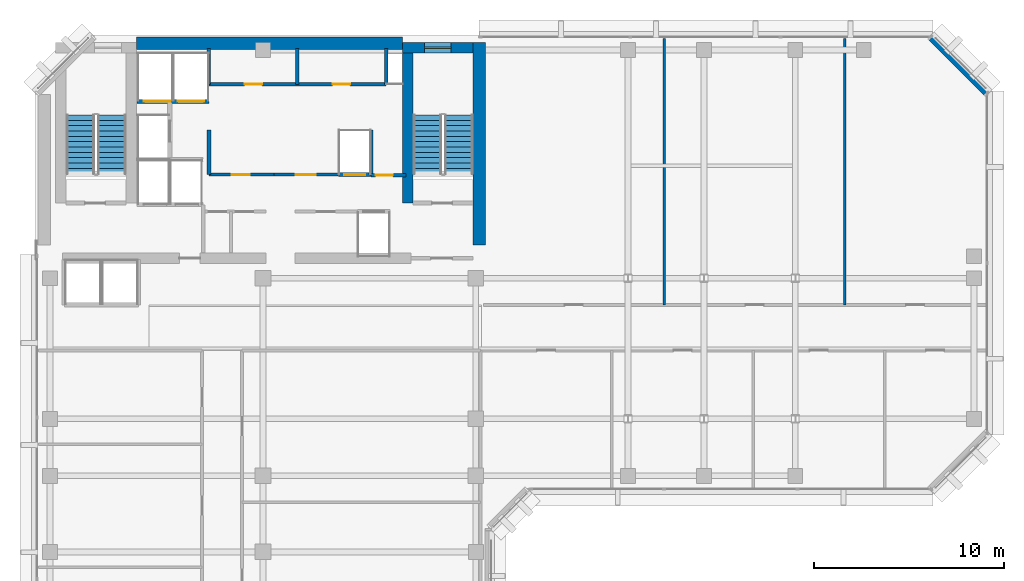
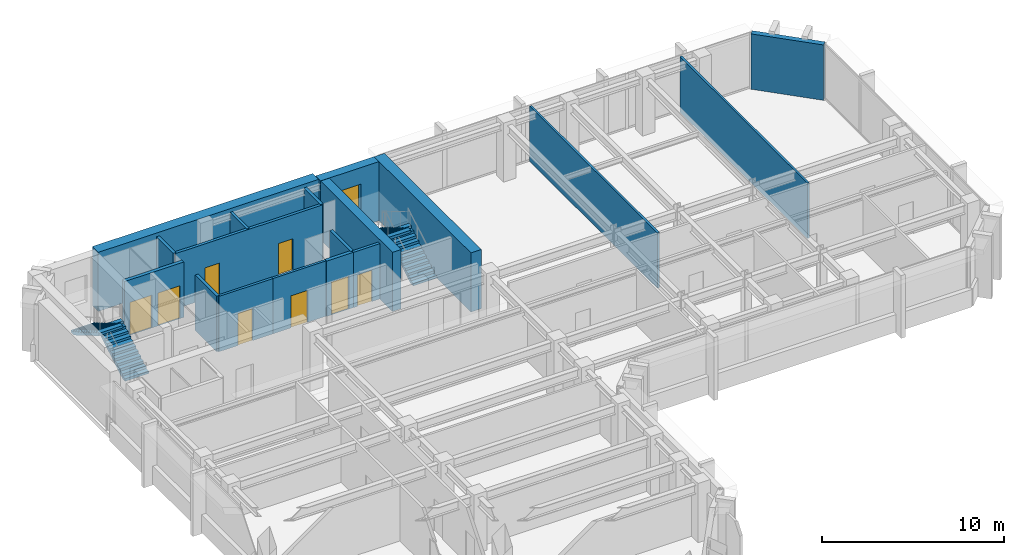
# One storey, part 8 of 12: 18 walls, 8 doors, 4 stair flights, 1 window, 9 openings, 2 elements without a shape of their own.
"""IFC4 building model written with IfcOpenShell, lengths in metres."""

from ifc_helpers import new_model, si_unit, direction, frame, frame_2d, origin, place, context, subcontext, project, spatial, polyline, rectangle, outline, extrude, material, layer, layer_set, type_object, element, fill, aggregate, save


model = new_model("IFC4")

# Units and contexts
model_context = context("Model", 3, precision=1e-05, world=origin(), true_north=direction((0.0, 1.0)))
body_context = subcontext(model_context, "Body", "Model", "MODEL_VIEW")
ifc_project = project(units=[si_unit("LENGTHUNIT", "METRE"), si_unit("AREAUNIT", "SQUARE_METRE"), si_unit("VOLUMEUNIT", "CUBIC_METRE"), si_unit("PLANEANGLEUNIT", "RADIAN"), si_unit("MASSUNIT", "GRAM", prefix="KILO")], contexts=[model_context])

# Site, building, storey
site_placement = place(None, origin())
site = spatial("IfcSite", under=ifc_project, at=site_placement, CompositionType="ELEMENT")
building_placement = place(site_placement, origin())
building = spatial("IfcBuilding", under=site, at=building_placement, Name="Kefirva Bronze Tower", CompositionType="ELEMENT")
storey_placement = place(building_placement, frame((0.0, 0.0, 260.3701171875)))
storey = spatial("IfcBuildingStorey", under=building, at=storey_placement, Name="L63", CompositionType="ELEMENT", Elevation=260.3701171875)

# Walls
ifc_material_1 = material(Name="Gypsum acoustic partition")
ifc_layer_1 = layer(ifc_material_1, 0.1298828125, Name="Gypsum acoustic partition")
ifc_layer_set_1 = layer_set([ifc_layer_1], Name="Gypsum acoustic partition")
wall_type_1 = type_object("IfcWallType", Name="Acoustic Office Partition 130mm", PredefinedType="PARTITIONING", material=ifc_layer_set_1)
for number, where, z_axis, x_axis, name in (
    (1, (33.107666015625, 31.800048828125, 0.0), (0.0, 0.0, 1.0), (0.0, 1.0, 0.0), "L63 Partition W-L63-END1"),
    (2, (42.615234375, 31.800048828125, 0.0), (0.0, 0.0, 1.0), (0.0, 1.0, 0.0), "L63 Partition W-L63-END2"),
):
    element("IfcWall", number, at=place(storey_placement, frame(where, z_axis=z_axis, x_axis=x_axis)), inside=storey, type_object=wall_type_1, Name=name, PredefinedType="PARTITIONING", context=body_context, shape_type="SweptSolid", body=[
        extrude(rectangle(XDim=14.010009765625, YDim=0.1298828125, at=frame_2d((7.0048828125, 0.0))), origin(), (0.0, 0.0, 1.0), 3.7099609375),
    ])

# Wall, opening, door
ifc_layer_2 = layer(ifc_material_1, 0.14990234375, Name="Gypsum acoustic partition")
ifc_layer_set_2 = layer_set([ifc_layer_2], Name="Gypsum acoustic partition")
wall_type_2 = type_object("IfcWallType", Name="Executive Suite Partition 150mm", PredefinedType="PARTITIONING", material=ifc_layer_set_2)
wall_1_placement = place(storey_placement, frame((12.580078125, 38.64990234375, 0.0), z_axis=(0.0, 0.0, 1.0), x_axis=(1.0, 0.0, 0.0)))
wall_1 = element("IfcWall", 3, at=wall_1_placement, inside=storey, type_object=wall_type_2, Name="L63 Partition W-L63-RECMP2", PredefinedType="PARTITIONING", context=body_context, shape_type="SweptSolid", body=[
    extrude(rectangle(XDim=3.3798828125, YDim=0.14990234375, at=frame_2d((1.68994140625, 0.0))), origin(), (0.0, 0.0, 1.0), 3.7099609375),
])
opening_1_placement = place(wall_1_placement, frame((2.199951171875, 0.0, 0.0), z_axis=(0.0, 0.0, 1.0), x_axis=(-1.0, 0.0, 0.0)))
opening_1 = element("IfcOpeningElement", 4, at=opening_1_placement, cuts=wall_1, Name="Opening L63-D-RECMP2", PredefinedType="OPENING", context=body_context, shape_type="SweptSolid", body=[
    extrude(rectangle(XDim=1.050048828125, YDim=2.14990234375, at=frame_2d((0.52490234375, 1.074951171875))), frame((0.0, 0.0849609375, 0.0), z_axis=(0.0, -1.0, 0.0), x_axis=(1.0, 0.0, 0.0)), (0.0, 0.0, 1.0), 0.169921875),
])
ifc_material_2 = material(Name="Acoustic hardwood oak", Category="wood")
door_type_1 = type_object("IfcDoorType", Name="Executive & Boardroom Door 1050x2150", OperationType="NOTDEFINED", PredefinedType="DOOR", material=ifc_material_2)
door_1_placement = place(opening_1_placement, origin())
door_1 = element("IfcDoor", 5, at=door_1_placement, inside=storey, type_object=door_type_1, Name="Door L63-D-RECMP2", OperationType="SINGLE_SWING_RIGHT", OverallHeight=2.14990234375, OverallWidth=1.050048828125, PredefinedType="DOOR", context=body_context, shape_type="SweptSolid", body=[
    extrude(rectangle(XDim=1.050048828125, YDim=2.14990234375, at=frame_2d((0.52490234375, 1.074951171875))), frame((0.0, 0.02490234375, 0.0), z_axis=(0.0, -1.0, 0.0), x_axis=(1.0, 0.0, 0.0)), (0.0, 0.0, 1.0), 0.050048828125),
])
fill(opening_1, door_1)

# Wall, openings, doors
ifc_material_3 = material(Name="Gypsum fireboard shaftwall")
ifc_layer_3 = layer(ifc_material_3, 0.219970703125, Name="Gypsum fireboard shaftwall")
ifc_layer_set_3 = layer_set([ifc_layer_3], Name="Gypsum fireboard shaftwall")
wall_type_3 = type_object("IfcWallType", Name="Fire-Rated Shaft Enclosure Wall 220mm", PredefinedType="PARTITIONING", material=ifc_layer_set_3)
wall_2_placement = place(storey_placement, frame((5.3798828125, 42.5, 0.0), z_axis=(0.0, 0.0, 1.0), x_axis=(1.0, 0.0, 0.0)))
wall_2 = element("IfcWall", 6, at=wall_2_placement, inside=storey, type_object=wall_type_3, Name="L63 Partition W-L63-SVS", PredefinedType="PARTITIONING", context=body_context, shape_type="SweptSolid", body=[
    extrude(rectangle(XDim=3.77001953125, YDim=0.219970703125, at=frame_2d((1.885009765625, 0.0))), origin(), (0.0, 0.0, 1.0), 3.7099609375),
])
opening_2_placement = place(wall_2_placement, frame((1.75, 0.0, 0.0), z_axis=(0.0, 0.0, 1.0), x_axis=(-1.0, 0.0, 0.0)))
opening_2 = element("IfcOpeningElement", 7, at=opening_2_placement, cuts=wall_2, Name="Opening L63-LD-SV1", PredefinedType="OPENING", context=body_context, shape_type="SweptSolid", body=[
    extrude(rectangle(XDim=1.39990234375, YDim=2.199951171875, at=frame_2d((0.699951171875, 1.10009765625))), frame((0.0, 0.1201171875, 0.0), z_axis=(0.0, -1.0, 0.0), x_axis=(1.0, 0.0, 0.0)), (0.0, 0.0, 1.0), 0.239990234375),
])
opening_3_placement = place(wall_2_placement, frame((3.52978515625, 0.0, 0.0), z_axis=(0.0, 0.0, 1.0), x_axis=(-1.0, 0.0, 0.0)))
opening_3 = element("IfcOpeningElement", 8, at=opening_3_placement, cuts=wall_2, Name="Opening L63-LD-SV2", PredefinedType="OPENING", context=body_context, shape_type="SweptSolid", body=[
    extrude(rectangle(XDim=1.39990234375, YDim=2.199951171875, at=frame_2d((0.699951171875, 1.10009765625))), frame((0.0, 0.1201171875, 0.0), z_axis=(0.0, -1.0, 0.0), x_axis=(1.0, 0.0, 0.0)), (0.0, 0.0, 1.0), 0.239990234375),
])
ifc_material_4 = material(Name="Stainless steel 316", Category="steel")
door_type_2 = type_object("IfcDoorType", Name="Goods Lift Bi-Parting Sliding Door 1400x2200", OperationType="SLIDING_TO_LEFT", PredefinedType="DOOR", material=ifc_material_4)
door_2_placement = place(opening_2_placement, origin())
door_2 = element("IfcDoor", 9, at=door_2_placement, inside=storey, type_object=door_type_2, Name="Door L63-LD-SV1", OperationType="SLIDING_TO_LEFT", OverallHeight=2.199951171875, OverallWidth=1.39990234375, PredefinedType="DOOR", context=body_context, shape_type="SweptSolid", body=[
    extrude(rectangle(XDim=1.39990234375, YDim=2.199951171875, at=frame_2d((0.699951171875, 1.10009765625))), frame((0.0, 0.02490234375, 0.0), z_axis=(0.0, -1.0, 0.0), x_axis=(1.0, 0.0, 0.0)), (0.0, 0.0, 1.0), 0.050048828125),
])
fill(opening_2, door_2)
door_3_placement = place(opening_3_placement, origin())
door_3 = element("IfcDoor", 10, at=door_3_placement, inside=storey, type_object=door_type_2, Name="Door L63-LD-SV2", OperationType="SLIDING_TO_LEFT", OverallHeight=2.199951171875, OverallWidth=1.39990234375, PredefinedType="DOOR", context=body_context, shape_type="SweptSolid", body=[
    extrude(rectangle(XDim=1.39990234375, YDim=2.199951171875, at=frame_2d((0.699951171875, 1.10009765625))), frame((0.0, 0.02490234375, 0.0), z_axis=(0.0, -1.0, 0.0), x_axis=(1.0, 0.0, 0.0)), (0.0, 0.0, 1.0), 0.050048828125),
])
fill(opening_3, door_3)

# Walls
for number, where, z_axis, x_axis, name in (
    (11, (9.159912109375, 38.64990234375, 0.0), (0.0, 0.0, 1.0), (0.0, 1.0, 0.0), "L63 Partition W-L63-LP3W"),
    (12, (17.679931640625, 38.64990234375, 0.0), (0.0, 0.0, 1.0), (0.0, 1.0, 0.0), "L63 Partition W-L63-HP2E"),
):
    element("IfcWall", number, at=place(storey_placement, frame(where, z_axis=z_axis, x_axis=x_axis)), inside=storey, type_object=wall_type_3, Name=name, PredefinedType="PARTITIONING", context=body_context, shape_type="SweptSolid", body=[
        extrude(rectangle(XDim=2.35009765625, YDim=0.199951171875, at=frame_2d((1.175048828125, 0.0))), origin(), (0.0, 0.0, 1.0), 3.7099609375),
    ])

# Wall, opening, door
wall_3_placement = place(storey_placement, frame((15.97998046875, 38.64990234375, 0.0), z_axis=(0.0, 0.0, 1.0), x_axis=(1.0, 0.0, 0.0)))
wall_3 = element("IfcWall", 13, at=wall_3_placement, inside=storey, type_object=wall_type_3, Name="L63 Partition W-L63-HPN", PredefinedType="PARTITIONING", context=body_context, shape_type="SweptSolid", body=[
    extrude(rectangle(XDim=1.719970703125, YDim=0.219970703125, at=frame_2d((0.85986328125, 0.0))), origin(), (0.0, 0.0, 1.0), 3.7099609375),
])
opening_4_placement = place(wall_3_placement, frame((0.300048828125, 0.0, 0.0)))
opening_4 = element("IfcOpeningElement", 14, at=opening_4_placement, cuts=wall_3, Name="Opening L63-LD-HP2", PredefinedType="OPENING", context=body_context, shape_type="SweptSolid", body=[
    extrude(rectangle(XDim=1.10009765625, YDim=2.199951171875, at=frame_2d((0.550048828125, 1.10009765625))), frame((0.0, 0.1201171875, 0.0), z_axis=(0.0, -1.0, 0.0), x_axis=(1.0, 0.0, 0.0)), (0.0, 0.0, 1.0), 0.239990234375),
])
door_type_3 = type_object("IfcDoorType", Name="Passenger Lift Sliding Landing Door 1100x2200", OperationType="SLIDING_TO_LEFT", PredefinedType="DOOR", material=ifc_material_4)
door_4_placement = place(opening_4_placement, origin())
door_4 = element("IfcDoor", 15, at=door_4_placement, inside=storey, type_object=door_type_3, Name="Door L63-LD-HP2", OperationType="SLIDING_TO_LEFT", OverallHeight=2.199951171875, OverallWidth=1.10009765625, PredefinedType="DOOR", context=body_context, shape_type="SweptSolid", body=[
    extrude(rectangle(XDim=1.10009765625, YDim=2.199951171875, at=frame_2d((0.550048828125, 1.10009765625))), frame((0.0, 0.02490234375, 0.0), z_axis=(0.0, -1.0, 0.0), x_axis=(1.0, 0.0, 0.0)), (0.0, 0.0, 1.0), 0.050048828125),
])
fill(opening_4, door_4)

ifc_material_5 = material(Name="Gypsum fireboard barrier")
ifc_layer_4 = layer(ifc_material_5, 0.199951171875, Name="Gypsum fireboard barrier")
ifc_layer_set_4 = layer_set([ifc_layer_4], Name="Gypsum fireboard barrier")
wall_type_4 = type_object("IfcWallType", Name="Firefighting Lobby Barrier Wall 200mm", PredefinedType="PARTITIONING", material=ifc_layer_set_4)
wall_4_placement = place(storey_placement, frame((17.679931640625, 38.6201171875, 0.0), z_axis=(0.0, 0.0, 1.0), x_axis=(1.0, 0.0, 0.0)))
wall_4 = element("IfcWall", 16, at=wall_4_placement, inside=storey, type_object=wall_type_4, Name="L63 Partition W-L63-CPASS", PredefinedType="PARTITIONING", context=body_context, shape_type="SweptSolid", body=[
    extrude(rectangle(XDim=1.840087890625, YDim=0.179931640625, at=frame_2d((0.919921875, 0.0))), origin(), (0.0, 0.0, 1.0), 3.7099609375),
])
opening_5_placement = place(wall_4_placement, frame((0.239990234375, 0.0, 0.0)))
opening_5 = element("IfcOpeningElement", 17, at=opening_5_placement, cuts=wall_4, Name="Opening L63-D-CPAS", PredefinedType="OPENING", context=body_context, shape_type="SweptSolid", body=[
    extrude(rectangle(XDim=0.919921875, YDim=2.10009765625, at=frame_2d((0.4599609375, 1.050048828125))), frame((0.0, 0.10009765625, 0.0), z_axis=(0.0, -1.0, 0.0), x_axis=(1.0, 0.0, 0.0)), (0.0, 0.0, 1.0), 0.199951171875),
])
ifc_material_6 = material(Name="Moisture-resistant timber", Category="wood")
door_type_4 = type_object("IfcDoorType", Name="Accessible Sanitary & WC Door 920x2100", OperationType="NOTDEFINED", PredefinedType="DOOR", material=ifc_material_6)
door_5_placement = place(opening_5_placement, origin())
door_5 = element("IfcDoor", 18, at=door_5_placement, inside=storey, type_object=door_type_4, Name="Door L63-D-CPAS", OperationType="SINGLE_SWING_LEFT", OverallHeight=2.10009765625, OverallWidth=0.919921875, PredefinedType="DOOR", context=body_context, shape_type="SweptSolid", body=[
    extrude(rectangle(XDim=0.919921875, YDim=2.10009765625, at=frame_2d((0.4599609375, 1.050048828125))), frame((0.0, 0.02490234375, 0.0), z_axis=(0.0, -1.0, 0.0), x_axis=(1.0, 0.0, 0.0)), (0.0, 0.0, 1.0), 0.050048828125),
])
fill(opening_5, door_5)

# Wall
ifc_material_7 = material(Name="Precast concrete C40/50", Category="concrete")
ifc_layer_5 = layer(ifc_material_7, 0.320068359375, Name="Precast concrete C40/50")
ifc_layer_set_5 = layer_set([ifc_layer_5], Name="Precast concrete C40/50")
wall_type_5 = type_object("IfcWallType", Name="Precast Insulated Exterior Wall 320mm", PredefinedType="SOLIDWALL", material=ifc_layer_set_5)
wall_5_placement = place(storey_placement, frame((50.048095703125, 42.92578125, 0.0), z_axis=(0.0, 0.0, 1.0), x_axis=(-0.707136318428, 0.707077242712, 0.0)))
element("IfcWall", 19, at=wall_5_placement, inside=storey, type_object=wall_type_5, Name="L63 Exterior Facade Wall 5", PredefinedType="SOLIDWALL", context=body_context, shape_type="SweptSolid", body=[
    extrude(rectangle(XDim=4.132568359375, YDim=0.320068359375, at=frame_2d((2.06640625, 0.0))), origin(), (0.0, 0.0, 1.0), 3.7099609375),
])

# Wall, opening, door
ifc_layer_6 = layer(ifc_material_1, 0.159912109375, Name="Gypsum acoustic partition")
ifc_layer_set_6 = layer_set([ifc_layer_6], Name="Gypsum acoustic partition")
wall_type_6 = type_object("IfcWallType", Name="Protected Corridor Partition 160mm", PredefinedType="PARTITIONING", material=ifc_layer_set_6)
wall_6_placement = place(storey_placement, frame((9.159912109375, 38.64990234375, 0.0), z_axis=(0.0, 0.0, 1.0), x_axis=(1.0, 0.0, 0.0)))
wall_6 = element("IfcWall", 20, at=wall_6_placement, inside=storey, type_object=wall_type_6, Name="L63 Partition W-L63-RECLP2", PredefinedType="PARTITIONING", context=body_context, shape_type="SweptSolid", body=[
    extrude(rectangle(XDim=3.420166015625, YDim=0.159912109375, at=frame_2d((1.7099609375, 0.0))), origin(), (0.0, 0.0, 1.0), 3.7099609375),
])
opening_6_placement = place(wall_6_placement, frame((2.14990234375, 0.0, 0.0), z_axis=(0.0, 0.0, 1.0), x_axis=(-1.0, 0.0, 0.0)))
opening_6 = element("IfcOpeningElement", 21, at=opening_6_placement, cuts=wall_6, Name="Opening L63-D-RECLP2", PredefinedType="OPENING", context=body_context, shape_type="SweptSolid", body=[
    extrude(rectangle(XDim=0.949951171875, YDim=2.14990234375, at=frame_2d((0.47509765625, 1.074951171875))), frame((0.0, 0.08984375, 0.0), z_axis=(0.0, -1.0, 0.0), x_axis=(1.0, 0.0, 0.0)), (0.0, 0.0, 1.0), 0.179931640625),
])
door_type_5 = type_object("IfcDoorType", Name="Office & Meeting Room Door 950x2150", OperationType="NOTDEFINED", PredefinedType="DOOR", material=ifc_material_2)
door_6_placement = place(opening_6_placement, origin())
door_6 = element("IfcDoor", 22, at=door_6_placement, inside=storey, type_object=door_type_5, Name="Door L63-D-RECLP2", OperationType="SINGLE_SWING_RIGHT", OverallHeight=2.14990234375, OverallWidth=0.949951171875, PredefinedType="DOOR", context=body_context, shape_type="SweptSolid", body=[
    extrude(rectangle(XDim=0.949951171875, YDim=2.14990234375, at=frame_2d((0.47509765625, 1.074951171875))), frame((0.0, 0.02490234375, 0.0), z_axis=(0.0, -1.0, 0.0), x_axis=(1.0, 0.0, 0.0)), (0.0, 0.0, 1.0), 0.050048828125),
])
fill(opening_6, door_6)

# Wall, opening, window
ifc_material_8 = material(Name="Concrete C50/60", Category="concrete")
ifc_layer_7 = layer(ifc_material_8, 0.550048828125, Name="Concrete C50/60")
ifc_layer_set_7 = layer_set([ifc_layer_7], Name="Concrete C50/60")
wall_type_7 = type_object("IfcWallType", Name="RC Rear Core Exterior Wall 550mm", PredefinedType="SHEAR", material=ifc_layer_set_7)
wall_7_placement = place(storey_placement, frame((19.35009765625, 45.320068359375, 0.0), z_axis=(0.0, 0.0, 1.0), x_axis=(1.0, 0.0, 0.0)))
wall_7 = element("IfcWall", 23, at=wall_7_placement, inside=storey, type_object=wall_type_7, Name="L63 Stair 2 North Shear Wall", PredefinedType="SHEAR", context=body_context, shape_type="SweptSolid", body=[
    extrude(rectangle(XDim=3.68994140625, YDim=0.550048828125, at=frame_2d((1.844970703125, 0.0))), origin(), (0.0, 0.0, 1.0), 3.9599609375),
])
opening_7_placement = place(wall_7_placement, frame((1.14990234375, 0.0, 1.050048828125)))
opening_7 = element("IfcOpeningElement", 24, at=opening_7_placement, cuts=wall_7, Name="Opening WN-03", PredefinedType="OPENING", context=body_context, shape_type="SweptSolid", body=[
    extrude(rectangle(XDim=1.39990234375, YDim=1.800048828125, at=frame_2d((0.699951171875, 0.89990234375))), frame((0.0, 0.28515625, 0.0), z_axis=(0.0, -1.0, 0.0), x_axis=(1.0, 0.0, 0.0)), (0.0, 0.0, 1.0), 0.570068359375),
])
ifc_material_9 = material(Name="Laminated low-E double glazing", Category="glass")
window_type = type_object("IfcWindowType", Name="Rear-Core Stair Daylight Window 1400x1800", PartitioningType="SINGLE_PANEL", PredefinedType="WINDOW", material=ifc_material_9)
window_placement = place(opening_7_placement, origin())
window = element("IfcWindow", 25, at=window_placement, inside=storey, type_object=window_type, Name="L63 Stair 2 Daylight Window", OverallHeight=1.800048828125, OverallWidth=1.39990234375, PartitioningType="SINGLE_PANEL", PredefinedType="WINDOW", context=body_context, shape_type="SweptSolid", body=[
    extrude(rectangle(XDim=1.39990234375, YDim=1.800048828125, at=frame_2d((0.699951171875, 0.89990234375))), frame((0.0, 0.030029296875, 0.0), z_axis=(0.0, -1.0, 0.0), x_axis=(1.0, 0.0, 0.0)), (0.0, 0.0, 1.0), 0.06005859375),
])
fill(opening_7, window)

# Walls
ifc_layer_8 = layer(ifc_material_8, 0.64990234375, Name="Concrete C50/60")
ifc_layer_set_8 = layer_set([ifc_layer_8], Name="Concrete C50/60")
wall_type_8 = type_object("IfcWallType", Name="RC Rear Core Exterior Wall 650mm", PredefinedType="SHEAR", material=ifc_layer_set_8)
wall_8_placement = place(storey_placement, frame((5.360107421875, 45.550048828125, 0.0), z_axis=(0.0, 0.0, 1.0), x_axis=(1.0, 0.0, 0.0)))
element("IfcWall", 26, at=wall_8_placement, inside=storey, type_object=wall_type_8, Name="L63 Rear Core North Shear Wall", PredefinedType="SHEAR", context=body_context, shape_type="SweptSolid", body=[
    extrude(rectangle(XDim=13.97998046875, YDim=0.64990234375, at=frame_2d((6.989990234375, 0.0))), origin(), (0.0, 0.0, 1.0), 3.9599609375),
])
ifc_layer_9 = layer(ifc_material_8, 0.550048828125, Name="Concrete C50/60")
ifc_layer_set_9 = layer_set([ifc_layer_9], Name="Concrete C50/60")
wall_type_9 = type_object("IfcWallType", Name="RC Rear Core Interior Wall 550mm", PredefinedType="SHEAR", material=ifc_layer_set_9)
wall_9_placement = place(storey_placement, frame((19.6201171875, 37.14990234375, 0.0), z_axis=(0.0, 0.0, 1.0), x_axis=(0.0, 1.0, 0.0)))
element("IfcWall", 27, at=wall_9_placement, inside=storey, type_object=wall_type_9, Name="L63 Stair 2 West Shear Wall", PredefinedType="SHEAR", context=body_context, shape_type="SweptSolid", body=[
    extrude(rectangle(XDim=7.89013671875, YDim=0.550048828125, at=frame_2d((3.945068359375, 0.0))), origin(), (0.0, 0.0, 1.0), 3.9599609375),
])
ifc_layer_10 = layer(ifc_material_8, 0.64990234375, Name="Concrete C50/60")
ifc_layer_set_10 = layer_set([ifc_layer_10], Name="Concrete C50/60")
wall_type_10 = type_object("IfcWallType", Name="RC Rear Core Interior Wall 650mm", PredefinedType="SHEAR", material=ifc_layer_set_10)
wall_10_placement = place(storey_placement, frame((23.375, 34.949951171875, 0.0), z_axis=(0.0, 0.0, 1.0), x_axis=(0.0, 1.0, 0.0)))
element("IfcWall", 28, at=wall_10_placement, inside=storey, type_object=wall_type_10, Name="L63 Rear Core East Shear Wall", PredefinedType="SHEAR", context=body_context, shape_type="SweptSolid", body=[
    extrude(rectangle(XDim=10.64013671875, YDim=0.64990234375, at=frame_2d((5.320068359375, 0.0))), origin(), (0.0, 0.0, 1.0), 3.9599609375),
])

# Wall, openings, doors
ifc_material_10 = material(Name="Moisture-resistant partition")
ifc_layer_11 = layer(ifc_material_10, 0.179931640625, Name="Moisture-resistant partition")
ifc_layer_set_11 = layer_set([ifc_layer_11], Name="Moisture-resistant partition")
wall_type_11 = type_object("IfcWallType", Name="Sanitary Plumbing Chase Wall 180mm", PredefinedType="PLUMBINGWALL", material=ifc_layer_set_11)
wall_11_placement = place(storey_placement, frame((9.14990234375, 43.39990234375, 0.0), z_axis=(0.0, 0.0, 1.0), x_axis=(1.0, 0.0, 0.0)))
wall_11 = element("IfcWall", 29, at=wall_11_placement, inside=storey, type_object=wall_type_11, Name="L63 Partition W-L63-SVCS", PredefinedType="PLUMBINGWALL", context=body_context, shape_type="SweptSolid", body=[
    extrude(rectangle(XDim=9.330078125, YDim=0.179931640625, at=frame_2d((4.6650390625, 0.0))), origin(), (0.0, 0.0, 1.0), 3.7099609375),
])
opening_8_placement = place(wall_11_placement, frame((1.8798828125, 0.0, 0.0)))
opening_8 = element("IfcOpeningElement", 30, at=opening_8_placement, cuts=wall_11, Name="Opening L63-D-CSVC1", PredefinedType="OPENING", context=body_context, shape_type="SweptSolid", body=[
    extrude(rectangle(XDim=0.919921875, YDim=2.10009765625, at=frame_2d((0.4599609375, 1.050048828125))), frame((0.0, 0.10009765625, 0.0), z_axis=(0.0, -1.0, 0.0), x_axis=(1.0, 0.0, 0.0)), (0.0, 0.0, 1.0), 0.199951171875),
])
opening_9_placement = place(wall_11_placement, frame((6.514892578125, 0.0, 0.0)))
opening_9 = element("IfcOpeningElement", 31, at=opening_9_placement, cuts=wall_11, Name="Opening L63-D-CSVC2", PredefinedType="OPENING", context=body_context, shape_type="SweptSolid", body=[
    extrude(rectangle(XDim=0.919921875, YDim=2.10009765625, at=frame_2d((0.4599609375, 1.050048828125))), frame((0.0, 0.10009765625, 0.0), z_axis=(0.0, -1.0, 0.0), x_axis=(1.0, 0.0, 0.0)), (0.0, 0.0, 1.0), 0.199951171875),
])
door_7_placement = place(opening_8_placement, origin())
door_7 = element("IfcDoor", 32, at=door_7_placement, inside=storey, type_object=door_type_4, Name="Door L63-D-CSVC1", OperationType="SINGLE_SWING_LEFT", OverallHeight=2.10009765625, OverallWidth=0.919921875, PredefinedType="DOOR", context=body_context, shape_type="SweptSolid", body=[
    extrude(rectangle(XDim=0.919921875, YDim=2.10009765625, at=frame_2d((0.4599609375, 1.050048828125))), frame((0.0, 0.02490234375, 0.0), z_axis=(0.0, -1.0, 0.0), x_axis=(1.0, 0.0, 0.0)), (0.0, 0.0, 1.0), 0.050048828125),
])
fill(opening_8, door_7)
door_8_placement = place(opening_9_placement, origin())
door_8 = element("IfcDoor", 33, at=door_8_placement, inside=storey, type_object=door_type_4, Name="Door L63-D-CSVC2", OperationType="SINGLE_SWING_RIGHT", OverallHeight=2.10009765625, OverallWidth=0.919921875, PredefinedType="DOOR", context=body_context, shape_type="SweptSolid", body=[
    extrude(rectangle(XDim=0.919921875, YDim=2.10009765625, at=frame_2d((0.4599609375, 1.050048828125))), frame((0.0, 0.02490234375, 0.0), z_axis=(0.0, -1.0, 0.0), x_axis=(1.0, 0.0, 0.0)), (0.0, 0.0, 1.0), 0.050048828125),
])
fill(opening_9, door_8)

# Walls
for number, where, z_axis, x_axis, name in (
    (34, (9.14990234375, 43.39990234375, 0.0), (0.0, 0.0, 1.0), (0.0, 1.0, 0.0), "L63 Partition W-L63-SVCW"),
    (35, (18.47998046875, 43.39990234375, 0.0), (0.0, 0.0, 1.0), (0.0, 1.0, 0.0), "L63 Partition W-L63-SVCE"),
    (36, (13.800048828125, 43.39990234375, 0.0), (0.0, 0.0, 1.0), (0.0, 1.0, 0.0), "L63 Partition W-L63-CSVD-1"),
):
    element("IfcWall", number, at=place(storey_placement, frame(where, z_axis=z_axis, x_axis=x_axis)), inside=storey, type_object=wall_type_11, Name=name, PredefinedType="PLUMBINGWALL", context=body_context, shape_type="SweptSolid", body=[
        extrude(rectangle(XDim=1.880126953125, YDim=0.179931640625, at=frame_2d((0.93994140625, 0.0))), origin(), (0.0, 0.0, 1.0), 3.7099609375),
    ])

# Stair, stair flights
ifc_material_11 = material(Name="Concrete C40/50", Category="concrete")
stair_type = type_object("IfcStairType", Name="RC Dogleg Protected Stair 24R", PredefinedType="HALF_TURN_STAIR", material=ifc_material_11)
stair_1_placement = place(storey_placement, origin())
stair_1 = element("IfcStair", 37, at=stair_1_placement, inside=storey, type_object=stair_type, Name="L63 Protected Exit Stair 1", PredefinedType="HALF_TURN_STAIR")
stair_flight_type = type_object("IfcStairFlightType", Name="RC Straight Stair Flight 24R", PredefinedType="STRAIGHT", material=ifc_material_11)
stair_flight_1_placement = place(storey_placement, frame((4.050048828125, 38.699951171875, 0.0), z_axis=(0.0, 0.0, 1.0), x_axis=(0.0, 1.0, 0.0)))
stair_flight_1 = element("IfcStairFlight", 38, at=stair_flight_1_placement, type_object=stair_flight_type, Name="ST-1 flight 1", NumberOfRisers=12, NumberOfTreads=11, PredefinedType="STRAIGHT", RiserHeight=0.165, TreadLength=0.28, context=body_context, shape_type="SweptSolid", body=[
    extrude(outline(polyline([(0.0, 0.0), (0.0, 0.1650390625), (0.280029296875, 0.1650390625), (0.280029296875, 0.330078125), (0.56005859375, 0.330078125), (0.56005859375, 0.4951171875), (0.840087890625, 0.4951171875), (0.840087890625, 0.659912109375), (1.1201171875, 0.659912109375), (1.1201171875, 0.824951171875), (1.39990234375, 0.824951171875), (1.39990234375, 0.989990234375), (1.679931640625, 0.989990234375), (1.679931640625, 1.155029296875), (1.9599609375, 1.155029296875), (1.9599609375, 1.320068359375), (2.239990234375, 1.320068359375), (2.239990234375, 1.485107421875), (2.52001953125, 1.485107421875), (2.52001953125, 1.64990234375), (2.800048828125, 1.64990234375), (2.800048828125, 1.81494140625), (3.080078125, 1.81494140625), (3.080078125, 1.97998046875), (3.080078125, 1.64111328125), (0.295166015625, 0.0), (0.0, 0.0)])), frame((0.0, 0.75, 0.0), z_axis=(0.0, -1.0, 0.0), x_axis=(1.0, 0.0, 0.0)), (0.0, 0.0, 1.0), 1.5),
])
stair_flight_2_placement = place(storey_placement, frame((2.39990234375, 41.780029296875, 1.97998046875), z_axis=(0.0, 0.0, 1.0), x_axis=(0.0, -1.0, 0.0)))
stair_flight_2 = element("IfcStairFlight", 39, at=stair_flight_2_placement, type_object=stair_flight_type, Name="ST-1 flight 2", NumberOfRisers=12, NumberOfTreads=11, PredefinedType="STRAIGHT", RiserHeight=0.165, TreadLength=0.28, context=body_context, shape_type="SweptSolid", body=[
    extrude(outline(polyline([(0.0, 0.0), (0.0, 0.1650390625), (0.280029296875, 0.1650390625), (0.280029296875, 0.330078125), (0.56005859375, 0.330078125), (0.56005859375, 0.4951171875), (0.840087890625, 0.4951171875), (0.840087890625, 0.659912109375), (1.1201171875, 0.659912109375), (1.1201171875, 0.824951171875), (1.39990234375, 0.824951171875), (1.39990234375, 0.989990234375), (1.679931640625, 0.989990234375), (1.679931640625, 1.155029296875), (1.9599609375, 1.155029296875), (1.9599609375, 1.320068359375), (2.239990234375, 1.320068359375), (2.239990234375, 1.485107421875), (2.52001953125, 1.485107421875), (2.52001953125, 1.64990234375), (2.800048828125, 1.64990234375), (2.800048828125, 1.81494140625), (3.080078125, 1.81494140625), (3.080078125, 1.97998046875), (3.080078125, 1.64111328125), (0.295166015625, 0.0), (0.0, 0.0)])), frame((0.0, 0.75, 0.0), z_axis=(0.0, -1.0, 0.0), x_axis=(1.0, 0.0, 0.0)), (0.0, 0.0, 1.0), 1.5),
])
aggregate(stair_1, [stair_flight_1, stair_flight_2])

stair_2_placement = place(storey_placement, origin())
stair_2 = element("IfcStair", 40, at=stair_2_placement, inside=storey, type_object=stair_type, Name="L63 Protected Exit Stair 2", PredefinedType="HALF_TURN_STAIR")
stair_flight_3_placement = place(storey_placement, frame((22.300048828125, 38.699951171875, 0.0), z_axis=(0.0, 0.0, 1.0), x_axis=(0.0, 1.0, 0.0)))
stair_flight_3 = element("IfcStairFlight", 41, at=stair_flight_3_placement, type_object=stair_flight_type, Name="ST-2 flight 1", NumberOfRisers=12, NumberOfTreads=11, PredefinedType="STRAIGHT", RiserHeight=0.165, TreadLength=0.28, context=body_context, shape_type="SweptSolid", body=[
    extrude(outline(polyline([(0.0, 0.0), (0.0, 0.1650390625), (0.280029296875, 0.1650390625), (0.280029296875, 0.330078125), (0.56005859375, 0.330078125), (0.56005859375, 0.4951171875), (0.840087890625, 0.4951171875), (0.840087890625, 0.659912109375), (1.1201171875, 0.659912109375), (1.1201171875, 0.824951171875), (1.39990234375, 0.824951171875), (1.39990234375, 0.989990234375), (1.679931640625, 0.989990234375), (1.679931640625, 1.155029296875), (1.9599609375, 1.155029296875), (1.9599609375, 1.320068359375), (2.239990234375, 1.320068359375), (2.239990234375, 1.485107421875), (2.52001953125, 1.485107421875), (2.52001953125, 1.64990234375), (2.800048828125, 1.64990234375), (2.800048828125, 1.81494140625), (3.080078125, 1.81494140625), (3.080078125, 1.97998046875), (3.080078125, 1.64111328125), (0.295166015625, 0.0), (0.0, 0.0)])), frame((0.0, 0.75, 0.0), z_axis=(0.0, -1.0, 0.0), x_axis=(1.0, 0.0, 0.0)), (0.0, 0.0, 1.0), 1.5),
])
stair_flight_4_placement = place(storey_placement, frame((20.64990234375, 41.780029296875, 1.97998046875), z_axis=(0.0, 0.0, 1.0), x_axis=(0.0, -1.0, 0.0)))
stair_flight_4 = element("IfcStairFlight", 42, at=stair_flight_4_placement, type_object=stair_flight_type, Name="ST-2 flight 2", NumberOfRisers=12, NumberOfTreads=11, PredefinedType="STRAIGHT", RiserHeight=0.165, TreadLength=0.28, context=body_context, shape_type="SweptSolid", body=[
    extrude(outline(polyline([(0.0, 0.0), (0.0, 0.1650390625), (0.280029296875, 0.1650390625), (0.280029296875, 0.330078125), (0.56005859375, 0.330078125), (0.56005859375, 0.4951171875), (0.840087890625, 0.4951171875), (0.840087890625, 0.659912109375), (1.1201171875, 0.659912109375), (1.1201171875, 0.824951171875), (1.39990234375, 0.824951171875), (1.39990234375, 0.989990234375), (1.679931640625, 0.989990234375), (1.679931640625, 1.155029296875), (1.9599609375, 1.155029296875), (1.9599609375, 1.320068359375), (2.239990234375, 1.320068359375), (2.239990234375, 1.485107421875), (2.52001953125, 1.485107421875), (2.52001953125, 1.64990234375), (2.800048828125, 1.64990234375), (2.800048828125, 1.81494140625), (3.080078125, 1.81494140625), (3.080078125, 1.97998046875), (3.080078125, 1.64111328125), (0.295166015625, 0.0), (0.0, 0.0)])), frame((0.0, 0.75, 0.0), z_axis=(0.0, -1.0, 0.0), x_axis=(1.0, 0.0, 0.0)), (0.0, 0.0, 1.0), 1.5),
])
aggregate(stair_2, [stair_flight_3, stair_flight_4])

save(model, "model.ifc")
